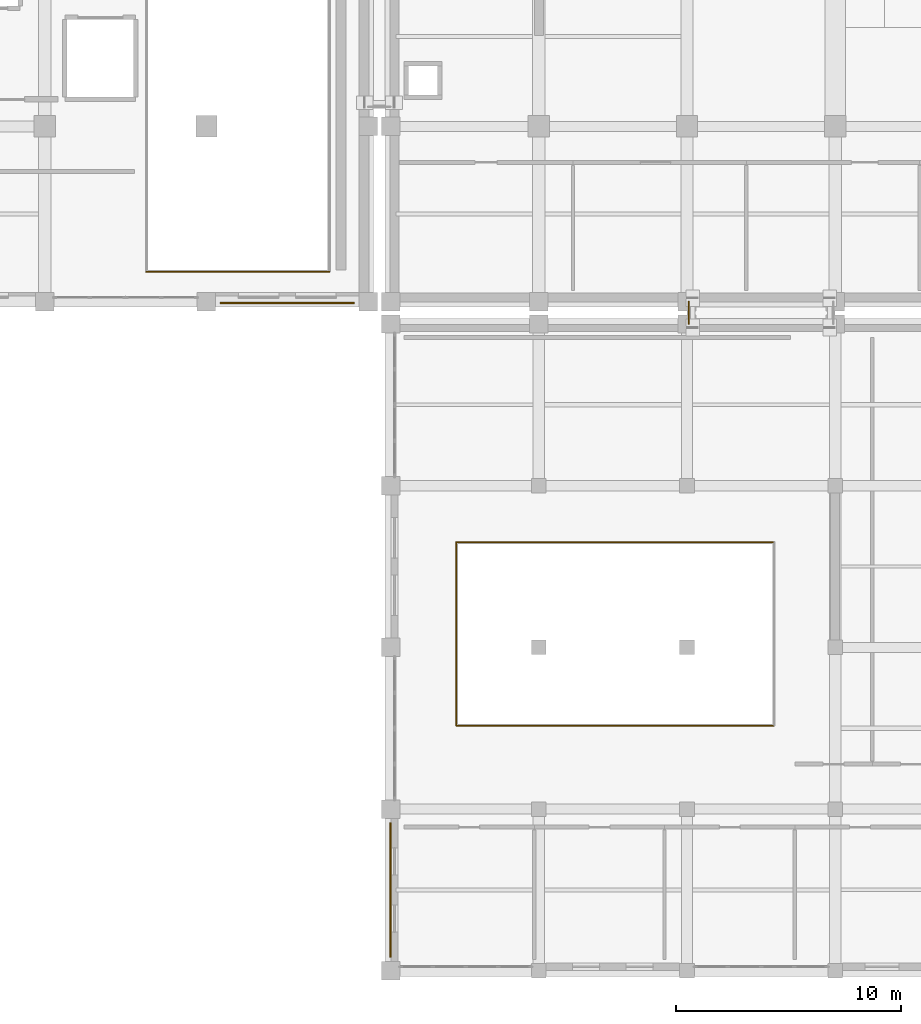
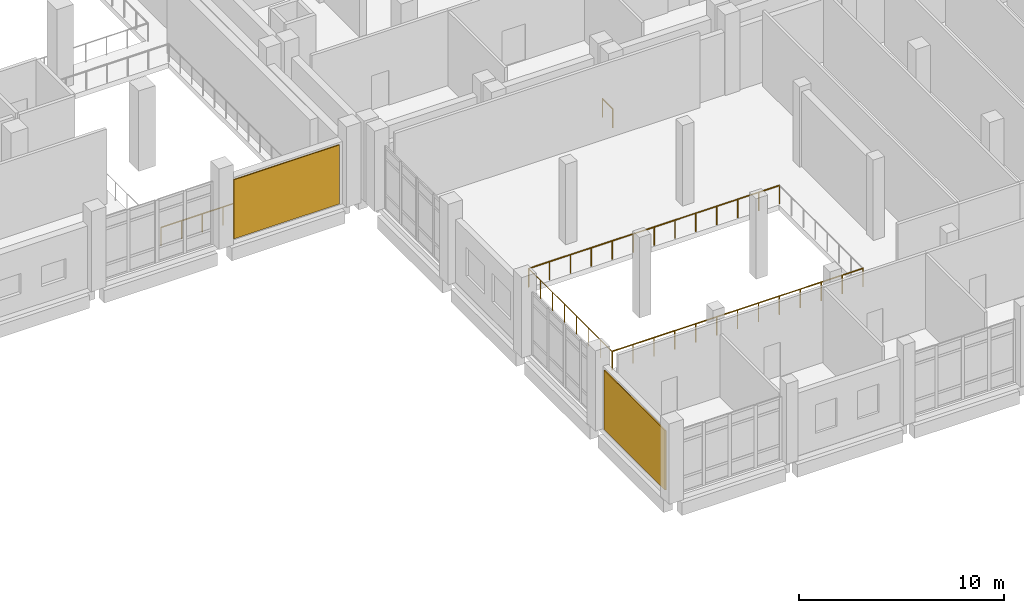
# One storey, part 82 of 90: 5 railings, 2 coverings.
"""IFC4 building model written with IfcOpenShell, lengths in metres."""

from ifc_helpers import new_model, si_unit, direction, frame, origin, origin_2d, place, context, subcontext, project, spatial, rectangle, circle, extrude, material, layer, layer_set, type_object, element, save


model = new_model("IFC4")

# Units and contexts
model_context = context("Model", 3, precision=1e-05, world=origin(), true_north=direction((0.0, 1.0)))
body_context = subcontext(model_context, "Body", "Model", "MODEL_VIEW")
ifc_project = project(units=[si_unit("LENGTHUNIT", "METRE"), si_unit("AREAUNIT", "SQUARE_METRE"), si_unit("VOLUMEUNIT", "CUBIC_METRE"), si_unit("PLANEANGLEUNIT", "RADIAN"), si_unit("MASSUNIT", "GRAM", prefix="KILO")], contexts=[model_context])

# Site, building, storey
site_placement = place(None, origin())
site = spatial("IfcSite", under=ifc_project, at=site_placement, CompositionType="ELEMENT")
building_placement = place(site_placement, origin())
building = spatial("IfcBuilding", under=site, at=building_placement, Name="Kelarvand Opera House", CompositionType="ELEMENT")
storey_placement = place(building_placement, frame((0.0, 0.0, 5.39990234375)))
storey = spatial("IfcBuildingStorey", under=building, at=storey_placement, Name="L01", CompositionType="ELEMENT", Elevation=5.39990234375)

# Coverings
ifc_material_1 = material(Name="Azarshahr buff travertine stone panels", Category="masonry")
ifc_layer = layer(ifc_material_1, 0.06005859375, Name="Azarshahr buff travertine stone panels", Category="masonry")
ifc_layer_set = layer_set([ifc_layer], Name="Azarshahr buff travertine stone panels")
covering_type = type_object("IfcCoveringType", Name="Azarshahr Honed Travertine Rainscreen Cladding 60mm", PredefinedType="CLADDING", material=ifc_layer_set)
covering_1_placement = place(storey_placement, frame((84.39990234375, 38.73388671875, 0.10009765625), z_axis=(0.0, 0.0, 1.0), x_axis=(-1.0, 0.0, 0.0)))
element("IfcCovering", 1, at=covering_1_placement, inside=storey, type_object=covering_type, Name="V2 Travertine Facade Cladding 7", PredefinedType="CLADDING", context=body_context, shape_type="SweptSolid", body=[
    extrude(rectangle(XDim=5.97998046875, YDim=0.06005859375, at=origin_2d()), origin(), (0.0, 0.0, 1.0), 3.52197265625),
])
covering_2_placement = place(storey_placement, frame((88.993896484375, 12.60009765625, 0.10009765625), z_axis=(0.0, 0.0, 1.0), x_axis=(0.0, 1.0, 0.0)))
element("IfcCovering", 2, at=covering_2_placement, inside=storey, type_object=covering_type, Name="V6 Travertine Facade Cladding 26", PredefinedType="CLADDING", context=body_context, shape_type="SweptSolid", body=[
    extrude(rectangle(XDim=5.97998046875, YDim=0.06005859375, at=origin_2d()), origin(), (0.0, 0.0, 1.0), 3.5419921875),
])

# Railings
ifc_material_2 = material(Name="Laminated safety glass with bronze cap rail", Category="glass")
railing_type_1 = type_object("IfcRailingType", Name="Laminated Glass and Bronze Foyer Balustrade 1120", PredefinedType="BALUSTRADE", material=ifc_material_2)
railing_1_placement = place(storey_placement, frame((91.919921875, 28.080078125, 0.0)))
element("IfcRailing", 3, at=railing_1_placement, inside=storey, type_object=railing_type_1, Name="V6 L01 Balustrade 49", PredefinedType="BALUSTRADE", context=body_context, shape_type="SweptSolid", body=[
    extrude(circle(Radius=0.02392578125, at=origin_2d()), frame((0.0, 0.0, 1.09619140625), z_axis=(1.0, 0.0, 0.0), x_axis=(0.0, 1.0, 0.0)), (0.0, 0.0, 1.0), 14.16015625),
    extrude(circle(Radius=0.02099609375, at=origin_2d()), origin(), (0.0, 0.0, 1.0), 1.072021484375),
    extrude(circle(Radius=0.02099609375, at=origin_2d()), frame((1.179931640625, 0.0, 0.0)), (0.0, 0.0, 1.0), 1.072021484375),
    extrude(circle(Radius=0.02099609375, at=origin_2d()), frame((2.360107421875, 0.0, 0.0)), (0.0, 0.0, 1.0), 1.072021484375),
    extrude(circle(Radius=0.02099609375, at=origin_2d()), frame((3.5400390625, 0.0, 0.0)), (0.0, 0.0, 1.0), 1.072021484375),
    extrude(circle(Radius=0.02099609375, at=origin_2d()), frame((4.719970703125, 0.0, 0.0)), (0.0, 0.0, 1.0), 1.072021484375),
    extrude(circle(Radius=0.02099609375, at=origin_2d()), frame((5.900146484375, 0.0, 0.0)), (0.0, 0.0, 1.0), 1.072021484375),
    extrude(circle(Radius=0.02099609375, at=origin_2d()), frame((7.080078125, 0.0, 0.0)), (0.0, 0.0, 1.0), 1.072021484375),
    extrude(circle(Radius=0.02099609375, at=origin_2d()), frame((8.260009765625, 0.0, 0.0)), (0.0, 0.0, 1.0), 1.072021484375),
    extrude(circle(Radius=0.02099609375, at=origin_2d()), frame((9.440185546875, 0.0, 0.0)), (0.0, 0.0, 1.0), 1.072021484375),
    extrude(circle(Radius=0.02099609375, at=origin_2d()), frame((10.6201171875, 0.0, 0.0)), (0.0, 0.0, 1.0), 1.072021484375),
    extrude(circle(Radius=0.02099609375, at=origin_2d()), frame((11.800048828125, 0.0, 0.0)), (0.0, 0.0, 1.0), 1.072021484375),
    extrude(circle(Radius=0.02099609375, at=origin_2d()), frame((12.980224609375, 0.0, 0.0)), (0.0, 0.0, 1.0), 1.072021484375),
    extrude(circle(Radius=0.02099609375, at=origin_2d()), frame((14.16015625, 0.0, 0.0)), (0.0, 0.0, 1.0), 1.072021484375),
])
railing_2_placement = place(storey_placement, frame((106.080078125, 19.919921875, 0.0)))
element("IfcRailing", 4, at=railing_2_placement, inside=storey, type_object=railing_type_1, Name="V6 L01 Balustrade 51", PredefinedType="BALUSTRADE", context=body_context, shape_type="SweptSolid", body=[
    extrude(circle(Radius=0.02392578125, at=origin_2d()), frame((0.0, 0.0, 1.09619140625), z_axis=(-1.0, 0.0, 0.0), x_axis=(0.0, -1.0, 0.0)), (0.0, 0.0, 1.0), 14.16015625),
    extrude(circle(Radius=0.02099609375, at=origin_2d()), origin(), (0.0, 0.0, 1.0), 1.072021484375),
    extrude(circle(Radius=0.02099609375, at=origin_2d()), frame((-1.179931640625, 0.0, 0.0)), (0.0, 0.0, 1.0), 1.072021484375),
    extrude(circle(Radius=0.02099609375, at=origin_2d()), frame((-2.360107421875, 0.0, 0.0)), (0.0, 0.0, 1.0), 1.072021484375),
    extrude(circle(Radius=0.02099609375, at=origin_2d()), frame((-3.5400390625, 0.0, 0.0)), (0.0, 0.0, 1.0), 1.072021484375),
    extrude(circle(Radius=0.02099609375, at=origin_2d()), frame((-4.719970703125, 0.0, 0.0)), (0.0, 0.0, 1.0), 1.072021484375),
    extrude(circle(Radius=0.02099609375, at=origin_2d()), frame((-5.900146484375, 0.0, 0.0)), (0.0, 0.0, 1.0), 1.072021484375),
    extrude(circle(Radius=0.02099609375, at=origin_2d()), frame((-7.080078125, 0.0, 0.0)), (0.0, 0.0, 1.0), 1.072021484375),
    extrude(circle(Radius=0.02099609375, at=origin_2d()), frame((-8.260009765625, 0.0, 0.0)), (0.0, 0.0, 1.0), 1.072021484375),
    extrude(circle(Radius=0.02099609375, at=origin_2d()), frame((-9.440185546875, 0.0, 0.0)), (0.0, 0.0, 1.0), 1.072021484375),
    extrude(circle(Radius=0.02099609375, at=origin_2d()), frame((-10.6201171875, 0.0, 0.0)), (0.0, 0.0, 1.0), 1.072021484375),
    extrude(circle(Radius=0.02099609375, at=origin_2d()), frame((-11.800048828125, 0.0, 0.0)), (0.0, 0.0, 1.0), 1.072021484375),
    extrude(circle(Radius=0.02099609375, at=origin_2d()), frame((-12.980224609375, 0.0, 0.0)), (0.0, 0.0, 1.0), 1.072021484375),
    extrude(circle(Radius=0.02099609375, at=origin_2d()), frame((-14.16015625, 0.0, 0.0)), (0.0, 0.0, 1.0), 1.072021484375),
])
railing_3_placement = place(storey_placement, frame((91.919921875, 19.919921875, 0.0)))
element("IfcRailing", 5, at=railing_3_placement, inside=storey, type_object=railing_type_1, Name="V6 L01 Balustrade 52", PredefinedType="BALUSTRADE", context=body_context, shape_type="SweptSolid", body=[
    extrude(circle(Radius=0.02392578125, at=origin_2d()), frame((0.0, 0.0, 1.09619140625), z_axis=(0.0, 1.0, 0.0), x_axis=(-1.0, 0.0, 0.0)), (0.0, 0.0, 1.0), 8.16015625),
    extrude(circle(Radius=0.02099609375, at=origin_2d()), origin(), (0.0, 0.0, 1.0), 1.072021484375),
    extrude(circle(Radius=0.02099609375, at=origin_2d()), frame((0.0, 1.165771484375, 0.0)), (0.0, 0.0, 1.0), 1.072021484375),
    extrude(circle(Radius=0.02099609375, at=origin_2d()), frame((0.0, 2.33154296875, 0.0)), (0.0, 0.0, 1.0), 1.072021484375),
    extrude(circle(Radius=0.02099609375, at=origin_2d()), frame((0.0, 3.497314453125, 0.0)), (0.0, 0.0, 1.0), 1.072021484375),
    extrude(circle(Radius=0.02099609375, at=origin_2d()), frame((0.0, 4.662841796875, 0.0)), (0.0, 0.0, 1.0), 1.072021484375),
    extrude(circle(Radius=0.02099609375, at=origin_2d()), frame((0.0, 5.82861328125, 0.0)), (0.0, 0.0, 1.0), 1.072021484375),
    extrude(circle(Radius=0.02099609375, at=origin_2d()), frame((0.0, 6.994384765625, 0.0)), (0.0, 0.0, 1.0), 1.072021484375),
    extrude(circle(Radius=0.02099609375, at=origin_2d()), frame((0.0, 8.16015625, 0.0)), (0.0, 0.0, 1.0), 1.072021484375),
])
railing_4_placement = place(storey_placement, frame((102.280029296875, 37.800048828125, 0.0)))
element("IfcRailing", 6, at=railing_4_placement, inside=storey, type_object=railing_type_1, Name="V1 L01 Balustrade 167", PredefinedType="BALUSTRADE", context=body_context, shape_type="SweptSolid", body=[
    extrude(circle(Radius=0.02392578125, at=origin_2d()), frame((0.0, 0.0, 1.09619140625), z_axis=(0.0, 1.0, 0.0), x_axis=(-1.0, 0.0, 0.0)), (0.0, 0.0, 1.0), 1.0),
    extrude(circle(Radius=0.02099609375, at=origin_2d()), origin(), (0.0, 0.0, 1.0), 1.072021484375),
    extrude(circle(Radius=0.02099609375, at=origin_2d()), frame((0.0, 1.0, 0.0)), (0.0, 0.0, 1.0), 1.072021484375),
])
ifc_material_3 = material(Name="Powder-coated Steel S355", Category="steel")
railing_type_2 = type_object("IfcRailingType", Name="Painted Steel Stair and Void Guardrail 1100", PredefinedType="GUARDRAIL", material=ifc_material_3)
railing_5_placement = place(storey_placement, frame((86.280029296875, 40.1201171875, 0.0)))
element("IfcRailing", 7, at=railing_5_placement, inside=storey, type_object=railing_type_2, Name="V2 L01 Guardrail 30", PredefinedType="GUARDRAIL", context=body_context, shape_type="SweptSolid", body=[
    extrude(circle(Radius=0.02392578125, at=origin_2d()), frame((0.0, 0.0, 1.076171875), z_axis=(-1.0, 0.0, 0.0), x_axis=(0.0, -1.0, 0.0)), (0.0, 0.0, 1.0), 8.159912109375),
    extrude(circle(Radius=0.02099609375, at=origin_2d()), origin(), (0.0, 0.0, 1.0), 1.052001953125),
    extrude(circle(Radius=0.02099609375, at=origin_2d()), frame((-1.165771484375, 0.0, 0.0)), (0.0, 0.0, 1.0), 1.052001953125),
    extrude(circle(Radius=0.02099609375, at=origin_2d()), frame((-2.331298828125, 0.0, 0.0)), (0.0, 0.0, 1.0), 1.052001953125),
    extrude(circle(Radius=0.02099609375, at=origin_2d()), frame((-3.4970703125, 0.0, 0.0)), (0.0, 0.0, 1.0), 1.052001953125),
    extrude(circle(Radius=0.02099609375, at=origin_2d()), frame((-4.662841796875, 0.0, 0.0)), (0.0, 0.0, 1.0), 1.052001953125),
    extrude(circle(Radius=0.02099609375, at=origin_2d()), frame((-5.82861328125, 0.0, 0.0)), (0.0, 0.0, 1.0), 1.052001953125),
    extrude(circle(Radius=0.02099609375, at=origin_2d()), frame((-6.994140625, 0.0, 0.0)), (0.0, 0.0, 1.0), 1.052001953125),
    extrude(circle(Radius=0.02099609375, at=origin_2d()), frame((-8.159912109375, 0.0, 0.0)), (0.0, 0.0, 1.0), 1.052001953125),
])

save(model, "model.ifc")
